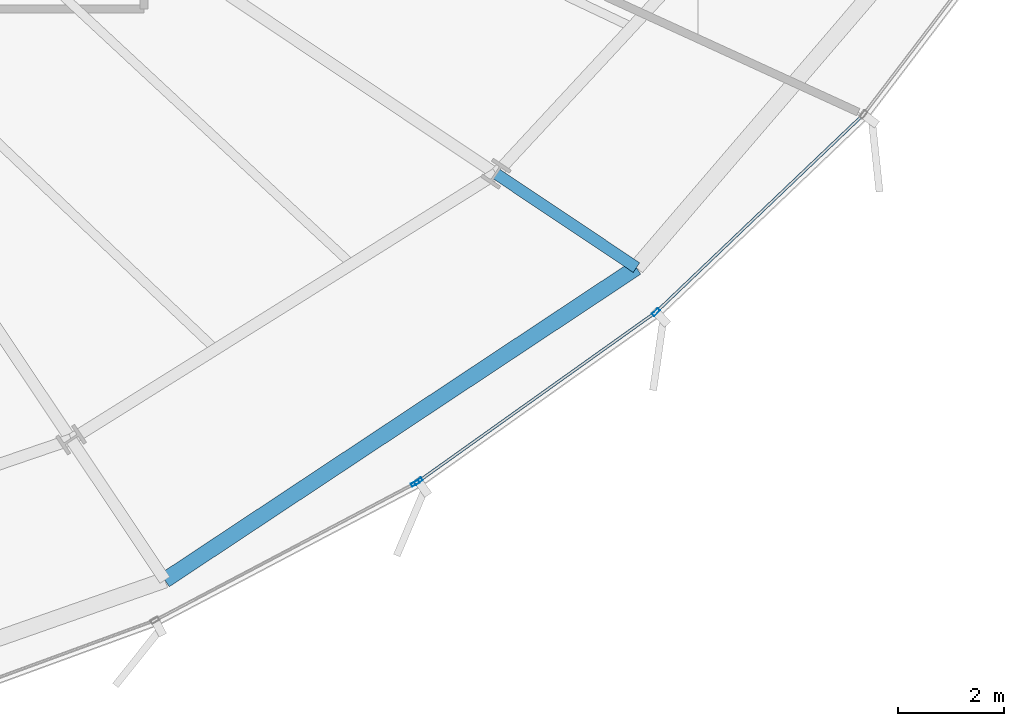
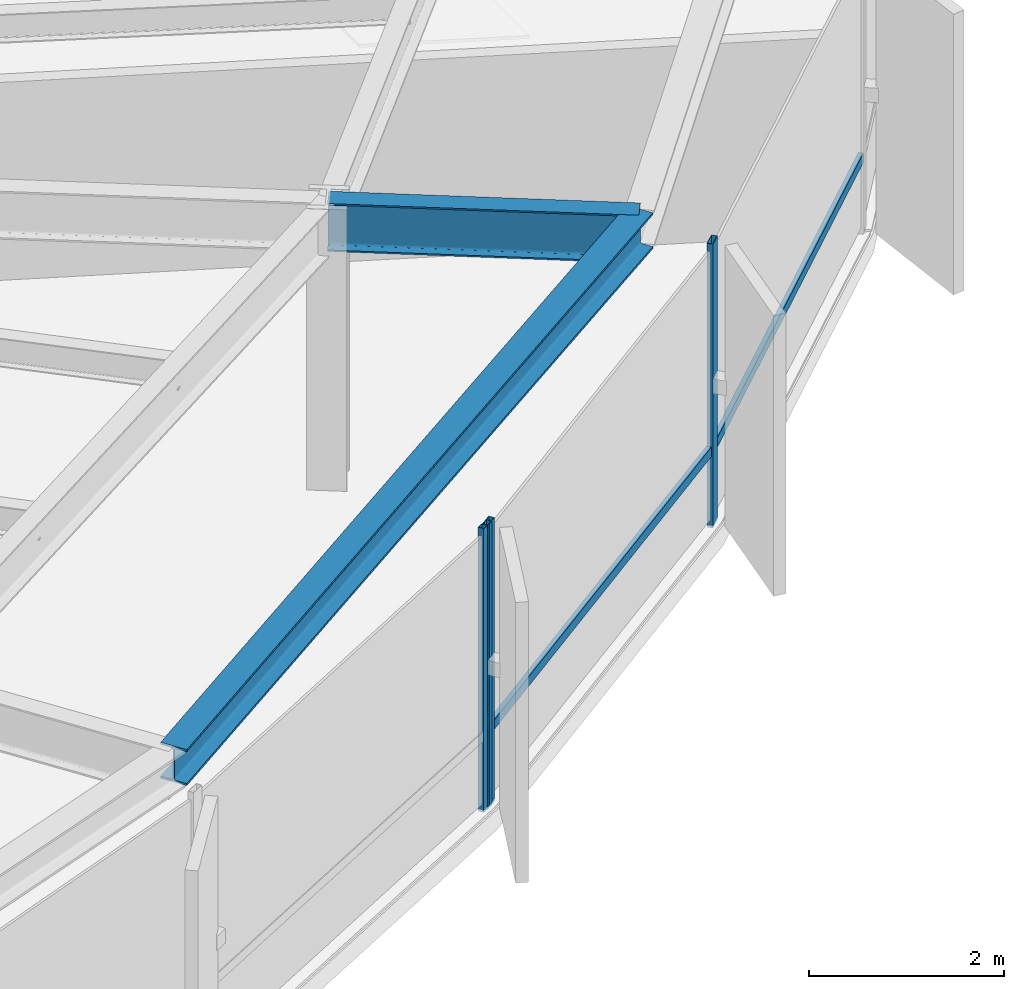
# One storey, part 13 of 38: 5 members, 2 beams, 2 elements without a shape of their own.
"""IFC4 building model written with IfcOpenShell, lengths in metres."""

from ifc_helpers import new_model, si_unit, direction, frame, origin, origin_2d, place, context, subcontext, project, spatial, hollow_rectangle, i_section, extrude, source, transform, mapped, material, layer, layer_set, material_profile, profile_set, type_object, element, aggregate, save


model = new_model("IFC4")

# Units and contexts
model_context = context("Model", 3, precision=1e-05, world=origin(), true_north=direction((0.0, 1.0)))
body_context = subcontext(model_context, "Body", "Model", "MODEL_VIEW")
ifc_project = project(units=[si_unit("LENGTHUNIT", "METRE"), si_unit("AREAUNIT", "SQUARE_METRE"), si_unit("VOLUMEUNIT", "CUBIC_METRE"), si_unit("PLANEANGLEUNIT", "RADIAN"), si_unit("MASSUNIT", "GRAM", prefix="KILO"), si_unit("THERMODYNAMICTEMPERATUREUNIT", "KELVIN")], contexts=[model_context])

# Site, building, storey
site_placement = place(None, origin())
site = spatial("IfcSite", under=ifc_project, at=site_placement, CompositionType="ELEMENT")
building_placement = place(site_placement, origin())
building = spatial("IfcBuilding", under=site, at=building_placement, Name="Kethvar Cultural Tower", CompositionType="ELEMENT")
storey_placement = place(building_placement, frame((0.0, 0.0, 63.800048828125)))
storey = spatial("IfcBuildingStorey", under=building, at=storey_placement, Name="L15", CompositionType="ELEMENT", Elevation=63.800048828125)

# Beams
ifc_material_1 = material(Name="Steel S355J2", Category="steel")
ifc_material_profile_1 = material_profile(ifc_material_1, i_section(OverallWidth=0.219970703125, OverallDepth=0.60009765625, WebThickness=0.011962890625, FlangeThickness=0.01904296875, FilletRadius=0.02392578125, at=origin_2d()), Name="Steel S355J2 — IPE600")
ifc_profile_set_1 = profile_set([ifc_material_profile_1], Name="Steel S355J2 — IPE600")
beam_type_1 = type_object("IfcBeamType", Name="BM-IPE600", PredefinedType="BEAM", material=ifc_profile_set_1)
shared_shape_1 = source(origin(), body_context, "Body", "SweptSolid", [
    extrude(i_section(OverallWidth=0.219970703125, OverallDepth=0.60009765625, WebThickness=0.011962890625, FlangeThickness=0.01904296875, FilletRadius=0.02392578125, at=origin_2d()), origin(), (0.0, 0.0, 1.0), 3.19970703125),
])
beam_1_placement = place(storey_placement, frame((67.41845703125, 14.023193359375, 3.248046875), z_axis=(0.831498187863, -0.55552746429, 0.0), x_axis=(0.55552746429, 0.831498187863, 0.0)))
element("IfcBeam", 1, at=beam_1_placement, inside=storey, type_object=beam_type_1, Name="L15 Perimeter Cantilever Beam RC-15", PredefinedType="BEAM", context=body_context, shape_type="MappedRepresentation", body=[
    mapped(shared_shape_1, transform((0.0, 0.0, 0.0), scale=1.0)),
])
ifc_material_profile_2 = material_profile(ifc_material_1, i_section(OverallWidth=0.300048828125, OverallDepth=0.449951171875, WebThickness=0.013916015625, FlangeThickness=0.02587890625, FilletRadius=0.027099609375, at=origin_2d()), Name="Steel S355J2 — HEB450")
ifc_profile_set_2 = profile_set([ifc_material_profile_2], Name="Steel S355J2 — HEB450")
beam_type_2 = type_object("IfcBeamType", Name="BM-SP450", PredefinedType="SPANDREL", material=ifc_profile_set_2)
shared_shape_2 = source(origin(), body_context, "Body", "SweptSolid", [
    extrude(i_section(OverallWidth=0.300048828125, OverallDepth=0.449951171875, WebThickness=0.013916015625, FlangeThickness=0.02587890625, FilletRadius=0.027099609375, at=origin_2d()), origin(), (0.0, 0.0, 1.0), 10.71435546875),
])
beam_2_placement = place(storey_placement, frame((61.148193359375, 6.326416015625, 3.322998046875), z_axis=(0.833544146731, 0.552452853599, 0.0), x_axis=(-0.552452853599, 0.833544146731, 0.0)))
element("IfcBeam", 2, at=beam_2_placement, inside=storey, type_object=beam_type_2, Name="L15 Perimeter Spandrel Beam SP-14", PredefinedType="SPANDREL", context=body_context, shape_type="MappedRepresentation", body=[
    mapped(shared_shape_2, transform((0.0, 0.0, 0.0), scale=1.0)),
])

# Curtain wall, member
ifc_material_2 = material(Name="Aluminium 6063-T6", Category="aluminium")
ifc_layer = layer(ifc_material_2, 0.179931640625, Name="Aluminium 6063-T6", Category="aluminium")
ifc_layer_set = layer_set([ifc_layer], Name="Aluminium 6063-T6 (180 mm)")
curtain_wall_type = type_object("IfcCurtainWallType", Name="CW-SYS-02-Z1", PredefinedType="NOTDEFINED", material=ifc_layer_set)
curtain_wall_1_placement = place(storey_placement, origin())
curtain_wall_1 = element("IfcCurtainWall", 3, at=curtain_wall_1_placement, inside=storey, type_object=curtain_wall_type, Name="L15 Curtain Wall Run 05", PredefinedType="NOTDEFINED")
ifc_material_profile_3 = material_profile(ifc_material_2, hollow_rectangle(XDim=0.06494140625, YDim=0.159912109375, WallThickness=0.0048828125, at=origin_2d()), Name="Aluminium 6063-T6 — RHS160x65x5")
ifc_profile_set_3 = profile_set([ifc_material_profile_3], Name="Aluminium 6063-T6 — RHS160x65x5")
member_type_1 = type_object("IfcMemberType", Name="CW-SYS-02-Z1-MUL", PredefinedType="MULLION", material=ifc_profile_set_3)
shared_shape_3 = source(origin(), body_context, "Body", "SweptSolid", [
    extrude(hollow_rectangle(XDim=0.06494140625, YDim=0.159912109375, WallThickness=0.0048828125, at=origin_2d()), origin(), (0.0, 0.0, 1.0), 3.550048828125),
])
member_1_placement = place(storey_placement, frame((65.8916015625, 8.1611328125, 0.0), z_axis=(0.0, 0.0, 1.0), x_axis=(-0.466016067022, 0.884776257184, 0.0)))
member_1 = element("IfcMember", 4, at=member_1_placement, type_object=member_type_1, Name="CW-L15-R05 Mullion 7", PredefinedType="MULLION", context=body_context, shape_type="MappedRepresentation", body=[
    mapped(shared_shape_3, transform((0.0, 0.0, 0.0), scale=1.0)),
])
aggregate(curtain_wall_1, [member_1])

# Curtain wall, members
curtain_wall_2_placement = place(storey_placement, origin())
curtain_wall_2 = element("IfcCurtainWall", 5, at=curtain_wall_2_placement, inside=storey, type_object=curtain_wall_type, Name="L15 Curtain Wall Run 06", PredefinedType="NOTDEFINED")
member_2_placement = place(storey_placement, frame((65.94970703125, 8.19677734375, 0.0), z_axis=(0.0, 0.0, 1.0), x_axis=(-0.58027660624, 0.814419462102, 0.0)))
member_2 = element("IfcMember", 6, at=member_2_placement, type_object=member_type_1, Name="CW-L15-R06 Mullion 1", PredefinedType="MULLION", context=body_context, shape_type="MappedRepresentation", body=[
    mapped(shared_shape_3, transform((0.0, 0.0, 0.0), scale=1.0)),
])
member_3_placement = place(storey_placement, frame((70.448974609375, 11.401123046875, 0.0), z_axis=(0.0, 0.0, 1.0), x_axis=(-0.689758562042, 0.724039450644, 0.0)))
member_3 = element("IfcMember", 7, at=member_3_placement, type_object=member_type_1, Name="CW-L15-R06 Mullion 2", PredefinedType="MULLION", context=body_context, shape_type="MappedRepresentation", body=[
    mapped(shared_shape_3, transform((0.0, 0.0, 0.0), scale=1.0)),
])
ifc_material_profile_4 = material_profile(ifc_material_2, hollow_rectangle(XDim=0.054931640625, YDim=0.1201171875, WallThickness=0.00390625, at=origin_2d()), Name="Aluminium 6063-T6 — RHS120x55x4")
ifc_profile_set_4 = profile_set([ifc_material_profile_4], Name="Aluminium 6063-T6 — RHS120x55x4")
member_type_2 = type_object("IfcMemberType", Name="CW-SYS-02-Z1-TRN", PredefinedType="USERDEFINED", material=ifc_profile_set_4)
shared_shape_4 = source(origin(), body_context, "Body", "SweptSolid", [
    extrude(hollow_rectangle(XDim=0.054931640625, YDim=0.1201171875, WallThickness=0.00390625, at=origin_2d()), origin(), (0.0, 0.0, 1.0), 5.353759765625),
])
member_4_placement = place(storey_placement, frame((70.48291015625, 11.433349609375, 0.949951171875), z_axis=(0.724022967061, 0.689775864443, 0.0), x_axis=(-0.689775864443, 0.724022967061, 0.0)))
member_4 = element("IfcMember", 8, at=member_4_placement, type_object=member_type_2, Name="CW-L15-R06 Transom 2", ObjectType="TRANSOM", PredefinedType="USERDEFINED", context=body_context, shape_type="MappedRepresentation", body=[
    mapped(shared_shape_4, transform((0.0, 0.0, 0.0), scale=1.0)),
])
shared_shape_5 = source(origin(), body_context, "Body", "SweptSolid", [
    extrude(hollow_rectangle(XDim=0.054931640625, YDim=0.1201171875, WallThickness=0.00390625, at=origin_2d()), origin(), (0.0, 0.0, 1.0), 5.4892578125),
])
member_5_placement = place(storey_placement, frame((65.95361328125, 8.199462890625, 0.949951171875), z_axis=(0.814412086274, 0.580286958092, 0.0), x_axis=(-0.580286958092, 0.814412086274, 0.0)))
member_5 = element("IfcMember", 9, at=member_5_placement, type_object=member_type_2, Name="CW-L15-R06 Transom 1", ObjectType="TRANSOM", PredefinedType="USERDEFINED", context=body_context, shape_type="MappedRepresentation", body=[
    mapped(shared_shape_5, transform((0.0, 0.0, 0.0), scale=1.0)),
])
aggregate(curtain_wall_2, [member_2, member_3, member_5, member_4])

save(model, "model.ifc")
